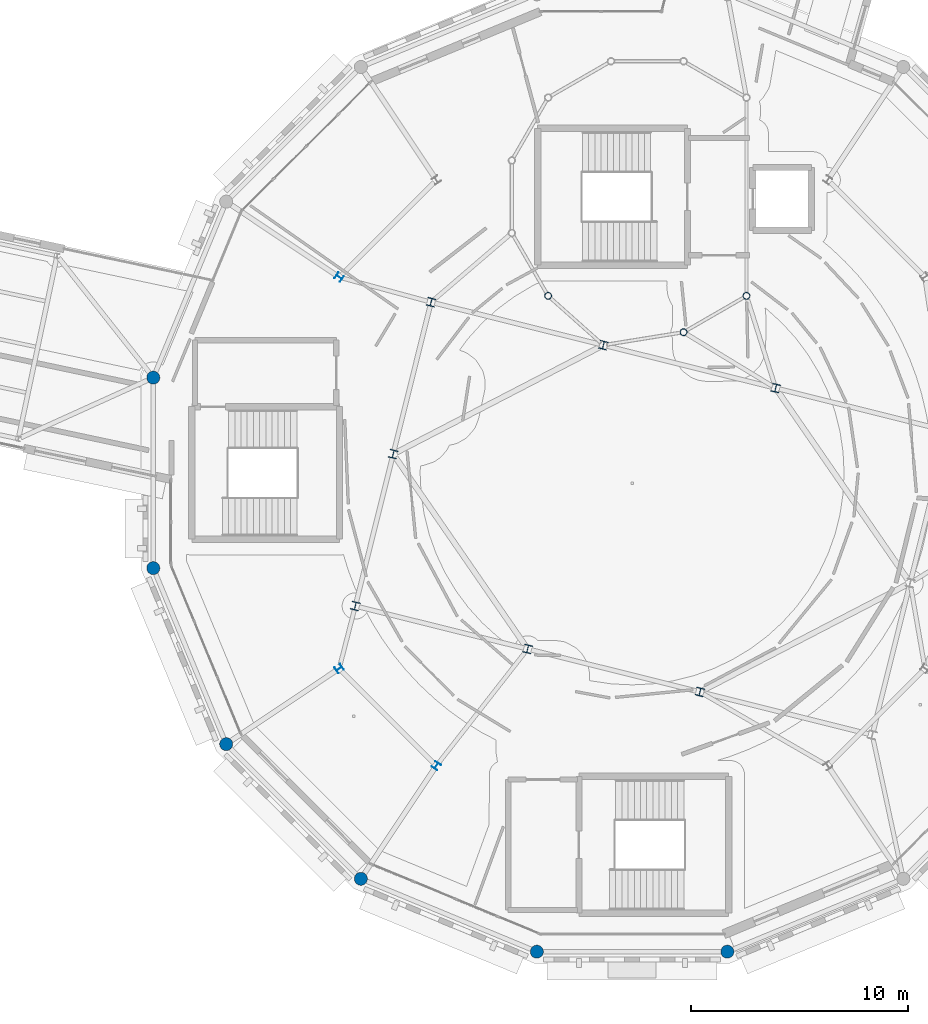
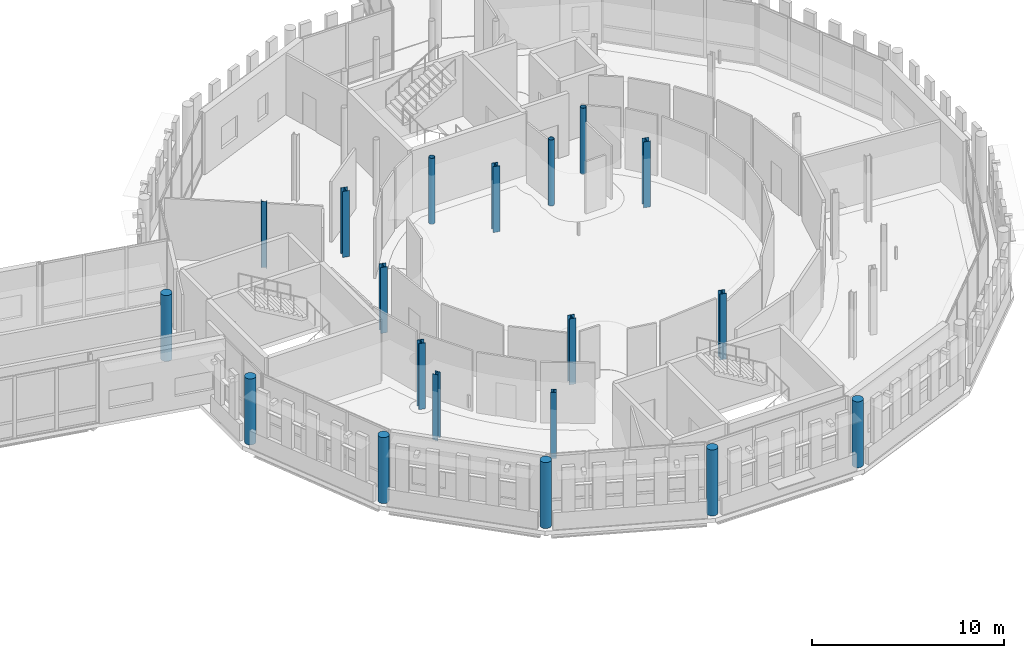
# One storey, part 18 of 125: 19 columns.
"""IFC4 building model written with IfcOpenShell, lengths in metres."""

import ifcopenshell
import ifcopenshell.guid

model = None  # the IFC model being written
_history = None  # IfcOwnerHistory: only IFC2X3 demands one
_inside = {}  # id of a spatial element -> (the spatial element, [elements in it])
_under = {}  # id of a project, library or spatial element -> (it, [spatial elements below it])
_declared = {}  # id of a project -> (the project, [libraries it declares])
_typed = {}  # id of a type object -> (the type object, [elements of that type])
_made_of = {}  # id of a material, layer set ... -> (it, [elements and type objects made of it])


def new_model(schema):
    """Start an empty IFC model of exactly this schema.

    Asked for "IFC4X3", IfcOpenShell would pick the latest addendum, in which some entities
    have other attributes; the version numbers below select the first issue.
    IFC2X3 requires an IfcOwnerHistory on every rooted entity: one is made here for all.
    """
    global model, _history
    if schema == "IFC4X3":
        model = ifcopenshell.file(schema_version=(4, 3, 0, 0))
    else:
        model = ifcopenshell.file(schema=schema)
    _inside.clear()
    _under.clear()
    _declared.clear()
    _typed.clear()
    _made_of.clear()
    _history = None
    if model.schema == "IFC2X3":
        org = make("IfcOrganization", Name="unknown")
        user = make(
            "IfcPersonAndOrganization",
            ThePerson=make("IfcPerson", FamilyName="unknown"),
            TheOrganization=org,
        )
        app = make(
            "IfcApplication",
            ApplicationDeveloper=org,
            Version="unknown",
            ApplicationFullName="unknown",
            ApplicationIdentifier="unknown",
        )
        _history = make(
            "IfcOwnerHistory",
            OwningUser=user,
            OwningApplication=app,
            ChangeAction="ADDED",
            CreationDate=0,
        )
    return model


def make(cls, **values):
    """One entity of the class cls with the attributes given. An attribute that is None is left unset."""
    return model.create_entity(
        cls, **{name: value for name, value in values.items() if value is not None}
    )


def rooted(cls, **values):
    """An entity with a GlobalId (a new one), such as an element, a storey or a relation."""
    return make(cls, GlobalId=ifcopenshell.guid.new(), OwnerHistory=_history, **values)


def si_unit(unit_type, name, prefix=None):
    """IfcSIUnit, for example si_unit("LENGTHUNIT", "METRE", prefix="MILLI")."""
    return make("IfcSIUnit", UnitType=unit_type, Prefix=prefix, Name=name)


def assignment(units):
    """IfcUnitAssignment: the units of a project."""
    return None if units is None else make("IfcUnitAssignment", Units=units)


def point(xyz):
    """IfcCartesianPoint."""
    return None if xyz is None else make("IfcCartesianPoint", Coordinates=xyz)


def direction(xyz):
    """IfcDirection."""
    return None if xyz is None else make("IfcDirection", DirectionRatios=xyz)


def frame(location, z_axis=None, x_axis=None):
    """IfcAxis2Placement3D, a coordinate frame: its origin and axes. An axis left out is left unset."""
    return make(
        "IfcAxis2Placement3D",
        Location=point(location),
        Axis=direction(z_axis),
        RefDirection=direction(x_axis),
    )


def frame_2d(location, x_axis=None):
    """IfcAxis2Placement2D, a coordinate frame in the plane: its origin and x axis."""
    return make(
        "IfcAxis2Placement2D", Location=point(location), RefDirection=direction(x_axis)
    )


def origin():
    """The frame at (0, 0, 0) with its axes left unset."""
    return frame((0.0, 0.0, 0.0))


def origin_2d():
    """The frame at (0, 0) in the plane with its x axis left unset."""
    return frame_2d((0.0, 0.0))


def place(relative_to, where):
    """IfcLocalPlacement: puts the frame where relative to a parent placement (None: the world)."""
    return make(
        "IfcLocalPlacement", PlacementRelTo=relative_to, RelativePlacement=where
    )


def context(
    kind, dimensions, precision=None, world=None, true_north=None, identifier=None
):
    """IfcGeometricRepresentationContext, for example the 3D "Model" context."""
    return make(
        "IfcGeometricRepresentationContext",
        ContextIdentifier=identifier,
        ContextType=kind,
        CoordinateSpaceDimension=dimensions,
        Precision=precision,
        WorldCoordinateSystem=world,
        TrueNorth=true_north,
    )


def subcontext(parent, identifier, kind, view, scale=None):
    """IfcGeometricRepresentationSubContext, for example "Body" below "Model"."""
    return make(
        "IfcGeometricRepresentationSubContext",
        ContextIdentifier=identifier,
        ContextType=kind,
        ParentContext=parent,
        TargetScale=scale,
        TargetView=view,
    )


def project(units=None, contexts=None):
    """IfcProject with its units and contexts."""
    return rooted(
        "IfcProject",
        Name="project",
        RepresentationContexts=contexts,
        UnitsInContext=assignment(units),
    )


def spatial(cls, under=None, at=None, **own):
    """A site, building, storey or space (cls), placed at a placement, below another one or the project."""
    s = rooted(cls, ObjectPlacement=at, **own)
    if under is not None:
        _under.setdefault(under.id(), (under, []))[1].append(s)
    return s


def profile(cls, at=None, kind="AREA", **sizes):
    """A parametric profile (cls). Its sizes go by their IFC names, for example OverallWidth=200.0."""
    return make(cls, ProfileType=kind, Position=at, **sizes)


def circle(**sizes):
    """IfcCircleProfileDef."""
    return profile("IfcCircleProfileDef", **sizes)


def hollow_circle(**sizes):
    """IfcCircleHollowProfileDef."""
    return profile("IfcCircleHollowProfileDef", **sizes)


def i_section(**sizes):
    """IfcIShapeProfileDef."""
    return profile("IfcIShapeProfileDef", **sizes)


def extrude(swept, where, along, depth):
    """IfcExtrudedAreaSolid: the profile swept, set in the frame where, extruded along a direction by depth."""
    return make(
        "IfcExtrudedAreaSolid",
        SweptArea=swept,
        Position=where,
        ExtrudedDirection=direction(along),
        Depth=depth,
    )


def shape(context_of_items, identifier, shape_type, items):
    """IfcShapeRepresentation: the items that make up one representation, for example the "Body"."""
    return make(
        "IfcShapeRepresentation",
        ContextOfItems=context_of_items,
        RepresentationIdentifier=identifier,
        RepresentationType=shape_type,
        Items=items,
    )


def material(Name=None, Category=None):
    """IfcMaterial."""
    return make("IfcMaterial", Name=Name, Category=Category)


def material_profile(
    of_material, cross_section, Name=None, Category=None, Priority=None
):
    """IfcMaterialProfile: a cross section and its material."""
    return make(
        "IfcMaterialProfile",
        Name=Name,
        Material=of_material,
        Profile=cross_section,
        Priority=Priority,
        Category=Category,
    )


def profile_set(profiles, Name=None, composite=None):
    """IfcMaterialProfileSet."""
    return make(
        "IfcMaterialProfileSet",
        Name=Name,
        MaterialProfiles=profiles,
        CompositeProfile=composite,
    )


def made_of(thing, what):
    """Note that an element or type object is made of a material, layer set ...; save() writes the relation."""
    if what is not None:
        _made_of.setdefault(what.id(), (what, []))[1].append(thing)
    return thing


def type_object(cls, material=None, **own):
    """A type object (cls), such as IfcWallType, which elements share."""
    return made_of(rooted(cls, **own), material)


def element(
    cls,
    number,
    at=None,
    inside=None,
    cuts=None,
    type_object=None,
    material=None,
    context=None,
    identifier="Body",
    shape_type=None,
    held_by="IfcProductDefinitionShape",
    body=None,
    shapes=None,
    **own,
):
    """One element of the class cls, such as IfcWall. Its Tag is "e" and its number.

    at: its placement. inside: the storey or other place that contains it. cuts: it is an
    opening in that element (IfcRelVoidsElement). A single representation is given by context,
    identifier, shape_type and body (its items); several are given by shapes. held_by: the class
    of the entity that holds the representations. save() writes the other relations.
    """
    e = rooted(cls, Tag="e%d" % number, ObjectPlacement=at, **own)
    if body is not None:
        shapes = [shape(context, identifier, shape_type, body)]
    if shapes is not None:
        e.Representation = make(held_by, Representations=shapes)
    if inside is not None:
        _inside.setdefault(inside.id(), (inside, []))[1].append(e)
    if cuts is not None:
        rooted(
            "IfcRelVoidsElement", RelatingBuildingElement=cuts, RelatedOpeningElement=e
        )
    if type_object is not None:
        _typed.setdefault(type_object.id(), (type_object, []))[1].append(e)
    return made_of(e, material)


def aggregate(whole, parts):
    """IfcRelAggregates: a whole, such as a stair, and the parts it consists of."""
    return rooted("IfcRelAggregates", RelatingObject=whole, RelatedObjects=parts)


def save(model, path):
    """Write the relations noted so far, then the file.

    IfcRelAggregates (storeys below a building ...), IfcRelContainedInSpatialStructure (elements
    in a storey), IfcRelDefinesByType, IfcRelAssociatesMaterial and IfcRelDeclares: one each for
    every whole, place, type object, material and project.
    """
    for whole, parts in _under.values():
        aggregate(whole, parts)
    for where, things in _inside.values():
        rooted(
            "IfcRelContainedInSpatialStructure",
            RelatedElements=things,
            RelatingStructure=where,
        )
    for kind, things in _typed.values():
        rooted("IfcRelDefinesByType", RelatedObjects=things, RelatingType=kind)
    for what, things in _made_of.values():
        rooted("IfcRelAssociatesMaterial", RelatedObjects=things, RelatingMaterial=what)
    for by, libraries in _declared.values():
        rooted("IfcRelDeclares", RelatingContext=by, RelatedDefinitions=libraries)
    model.write(path)


model = new_model("IFC4")

# Units and contexts
model_context = context("Model", 3, precision=1e-05, world=origin(), true_north=direction((0.0, 1.0)))
body_context = subcontext(model_context, "Body", "Model", "MODEL_VIEW")
ifc_project = project(units=[si_unit("LENGTHUNIT", "METRE"), si_unit("AREAUNIT", "SQUARE_METRE"), si_unit("VOLUMEUNIT", "CUBIC_METRE"), si_unit("PLANEANGLEUNIT", "RADIAN"), si_unit("MASSUNIT", "GRAM", prefix="KILO")], contexts=[model_context])

# Site, building, storey
site_placement = place(None, origin())
site = spatial("IfcSite", under=ifc_project, at=site_placement, CompositionType="ELEMENT")
building_placement = place(site_placement, origin())
building = spatial("IfcBuilding", under=site, at=building_placement, Name="Wrenclough Park School", CompositionType="ELEMENT")
storey_placement = place(building_placement, frame((0.0, 0.0, 4.199951171875)))
storey = spatial("IfcBuildingStorey", under=building, at=storey_placement, Name="L01", CompositionType="ELEMENT", Elevation=4.199951171875)

# Columns
ifc_material_1 = material(Name="Structural steel S355", Category="steel")
ifc_material_profile_1 = material_profile(ifc_material_1, hollow_circle(Radius=0.161865234375, WallThickness=0.01611328125, at=origin_2d()), Name="CHS 323.9x16.0")
ifc_profile_set_1 = profile_set([ifc_material_profile_1], Name="Structural steel S355")
column_type_1 = type_object("IfcColumnType", Name="STR-COL-CHS324", PredefinedType="COLUMN", material=ifc_profile_set_1)
for number, where, z_axis, x_axis, name in (
    (1, (151.63916015625, 34.63916015625, 0.0), (0.0, 0.0, 1.0), (0.707106781187, -0.707106781187, 0.0), "D1-SH L01 column D1SH-08"),
    (2, (157.869384765625, 32.9697265625, 0.0), (0.0, 0.0, 1.0), (0.965925826289, 0.258819045103, 0.0), "D1-SH L01 column D1SH-10"),
    (3, (160.7607421875, 34.63916015625, 0.0), (0.0, 0.0, 1.0), (0.707106781187, 0.707106781187, 0.0), "D1-SH L01 column D1SH-11"),
):
    element("IfcColumn", number, at=place(storey_placement, frame(where, z_axis=z_axis, x_axis=x_axis)), inside=storey, type_object=column_type_1, Name=name, PredefinedType="COLUMN", context=body_context, shape_type="SweptSolid", body=[
        extrude(hollow_circle(Radius=0.161865234375, WallThickness=0.01611328125, at=origin_2d()), origin(), (0.0, 0.0, 1.0), 4.199951171875),
    ])
ifc_material_2 = material(Name="Concrete C40/50", Category="concrete")
ifc_material_profile_2 = material_profile(ifc_material_2, circle(Radius=0.300048828125, at=origin_2d()), Name="RC COL D600")
ifc_profile_set_2 = profile_set([ifc_material_profile_2], Name="Concrete C40/50")
column_type_2 = type_object("IfcColumnType", Name="STR-COL-RCD600", PredefinedType="COLUMN", material=ifc_profile_set_2)
for number, where, z_axis, x_axis, name in (
    (4, (133.4814453125, 30.8798828125, 0.0), (0.0, 0.0, 1.0), (-0.195090322016, -0.980785280403, 0.0), "D1 L01 column D1-OUT-08"),
    (5, (133.4814453125, 22.1201171875, 0.0), (0.0, 0.0, 1.0), (0.195090322016, -0.980785280403, 0.0), "D1 L01 column D1-OUT-09"),
    (6, (136.83349609375, 14.02734375, 0.0), (0.0, 0.0, 1.0), (0.55557023302, -0.831469612303, 0.0), "D1 L01 column D1-OUT-10"),
    (7, (143.02734375, 7.83349609375, 0.0), (0.0, 0.0, 1.0), (0.831469612303, -0.55557023302, 0.0), "D1 L01 column D1-OUT-11"),
    (8, (151.1201171875, 4.4814453125, 0.0), (0.0, 0.0, 1.0), (0.980785280403, -0.195090322016, 0.0), "D1 L01 column D1-OUT-12"),
    (9, (159.8798828125, 4.4814453125, 0.0), (0.0, 0.0, 1.0), (0.980785280403, 0.195090322016, 0.0), "D1 L01 column D1-OUT-13"),
):
    element("IfcColumn", number, at=place(storey_placement, frame(where, z_axis=z_axis, x_axis=x_axis)), inside=storey, type_object=column_type_2, Name=name, PredefinedType="COLUMN", context=body_context, shape_type="SweptSolid", body=[
        extrude(circle(Radius=0.300048828125, at=origin_2d()), origin(), (0.0, 0.0, 1.0), 4.199951171875),
    ])
ifc_material_profile_3 = material_profile(ifc_material_1, i_section(OverallWidth=0.307373046875, OverallDepth=0.314453125, WebThickness=0.011962890625, FlangeThickness=0.018798828125, FilletRadius=0.01513671875, at=origin_2d()), Name="UKC 305x305x118")
ifc_profile_set_3 = profile_set([ifc_material_profile_3], Name="Structural steel S355")
column_type_3 = type_object("IfcColumnType", Name="STR-COL-UKC305A", PredefinedType="COLUMN", material=ifc_profile_set_3)
for number, where, z_axis, x_axis, name in (
    (10, (142.0302734375, 35.500244140625, 0.0), (0.0, 0.0, 1.0), (-0.55557023302, -0.831469612303, 0.0), "D1 L01 column D1-MID-07"),
    (11, (142.0302734375, 17.499755859375, 0.0), (0.0, 0.0, 1.0), (0.55557023302, -0.831469612303, 0.0), "D1 L01 column D1-MID-10"),
    (12, (146.499755859375, 13.0302734375, 0.0), (0.0, 0.0, 1.0), (0.831469612303, -0.55557023302, 0.0), "D1 L01 column D1-MID-11"),
):
    element("IfcColumn", number, at=place(storey_placement, frame(where, z_axis=z_axis, x_axis=x_axis)), inside=storey, type_object=column_type_3, Name=name, PredefinedType="COLUMN", context=body_context, shape_type="SweptSolid", body=[
        extrude(i_section(OverallWidth=0.307373046875, OverallDepth=0.314453125, WebThickness=0.011962890625, FlangeThickness=0.018798828125, FilletRadius=0.01513671875, at=origin_2d()), origin(), (0.0, 0.0, 1.0), 4.199951171875),
    ])
ifc_material_profile_4 = material_profile(ifc_material_1, i_section(OverallWidth=0.37255859375, OverallDepth=0.3681640625, WebThickness=0.014404296875, FlangeThickness=0.023681640625, FilletRadius=0.01513671875, at=origin_2d()), Name="UKC 356x368x177")
ifc_profile_set_4 = profile_set([ifc_material_profile_4], Name="Structural steel S355")
column_type_4 = type_object("IfcColumnType", Name="STR-COL-UKC356", PredefinedType="COLUMN", material=ifc_profile_set_4)
for number, where, z_axis, x_axis, name in (
    (13, (142.77197265625, 20.37744140625, 0.0), (0.0, 0.0, 1.0), (0.970295726276, -0.2419218956, 0.0), "D1 L01 column D1HR-0-0"),
    (14, (144.513916015625, 27.363525390625, 0.0), (0.0, 0.0, 1.0), (0.970295726276, -0.2419218956, 0.0), "D1 L01 column D1HR-0-1"),
    (15, (146.255615234375, 34.349609375, 0.0), (0.0, 0.0, 1.0), (0.970295726276, -0.2419218956, 0.0), "D1 L01 column D1HR-0-2"),
    (16, (150.696044921875, 18.401611328125, 0.0), (0.0, 0.0, 1.0), (0.970295726276, -0.2419218956, 0.0), "D1 L01 column D1HR-1-0"),
    (17, (154.1796875, 32.3740234375, 0.0), (0.0, 0.0, 1.0), (0.970295726276, -0.2419218956, 0.0), "D1 L01 column D1HR-1-2"),
    (18, (158.6201171875, 16.426025390625, 0.0), (0.0, 0.0, 1.0), (0.970295726276, -0.2419218956, 0.0), "D1 L01 column D1HR-2-0"),
    (19, (162.10400390625, 30.398193359375, 0.0), (0.0, 0.0, 1.0), (0.970295726276, -0.2419218956, 0.0), "D1 L01 column D1HR-2-2"),
):
    element("IfcColumn", number, at=place(storey_placement, frame(where, z_axis=z_axis, x_axis=x_axis)), inside=storey, type_object=column_type_4, Name=name, PredefinedType="COLUMN", context=body_context, shape_type="SweptSolid", body=[
        extrude(i_section(OverallWidth=0.37255859375, OverallDepth=0.3681640625, WebThickness=0.014404296875, FlangeThickness=0.023681640625, FilletRadius=0.01513671875, at=origin_2d()), origin(), (0.0, 0.0, 1.0), 4.199951171875),
    ])

save(model, "model.ifc")
